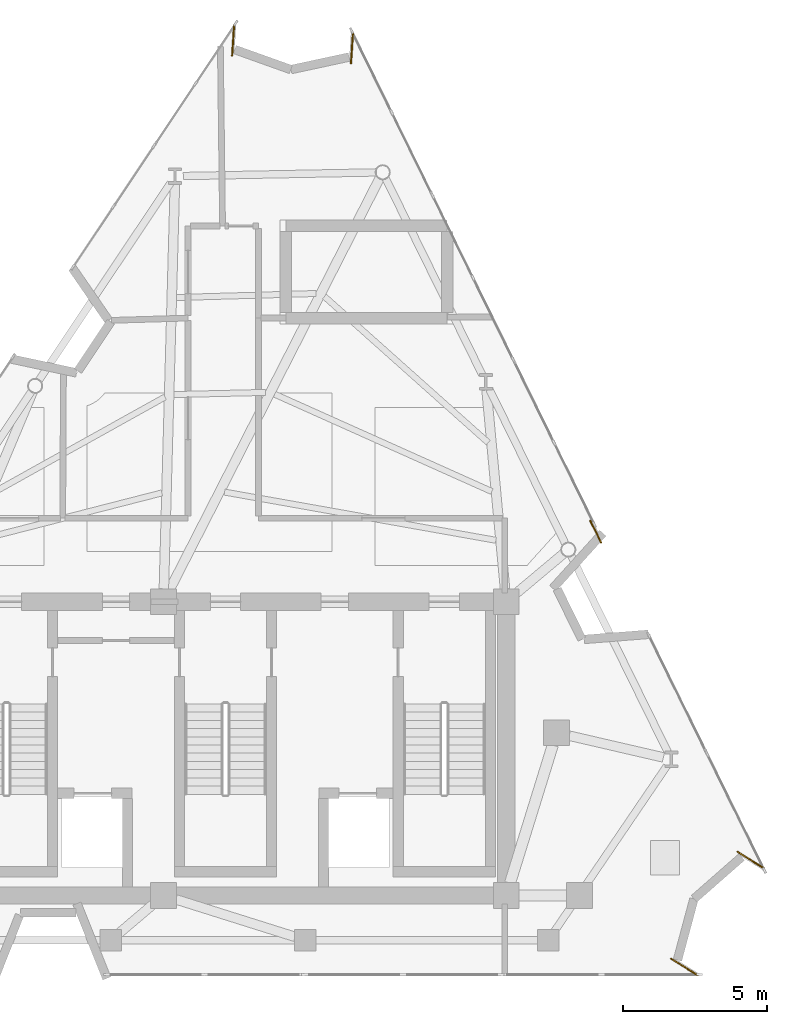
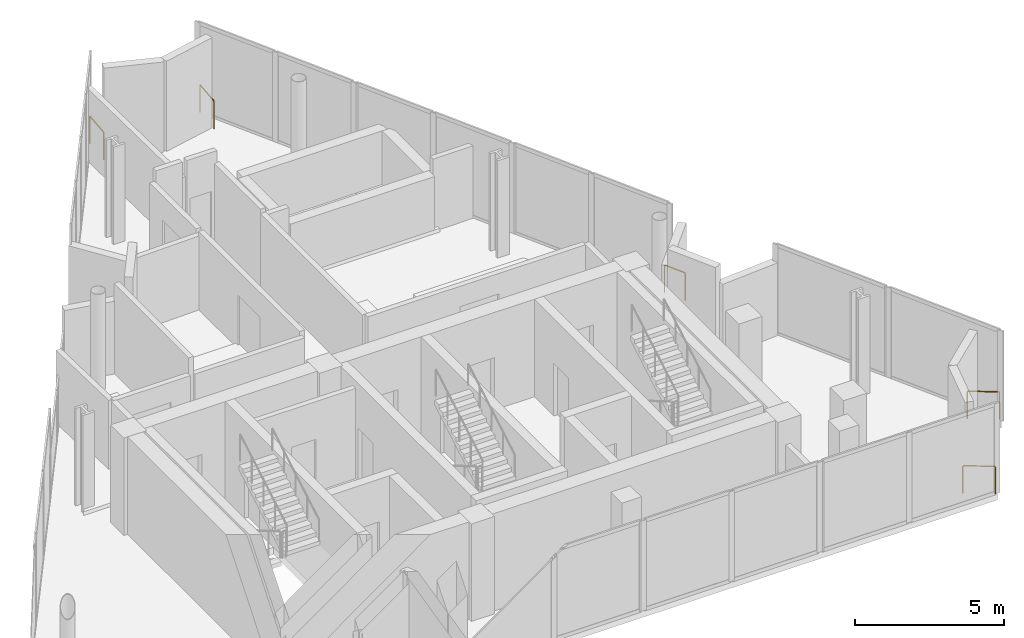
# One storey, part 9 of 9: 5 railings.
"""IFC4 building model written with IfcOpenShell, lengths in metres."""

from ifc_helpers import new_model, si_unit, direction, frame, origin, origin_2d, place, context, subcontext, project, spatial, circle, extrude, material, type_object, element, save


model = new_model("IFC4")

# Units and contexts
model_context = context("Model", 3, precision=1e-05, world=origin(), true_north=direction((0.0, 1.0)))
body_context = subcontext(model_context, "Body", "Model", "MODEL_VIEW")
ifc_project = project(units=[si_unit("LENGTHUNIT", "METRE"), si_unit("AREAUNIT", "SQUARE_METRE"), si_unit("VOLUMEUNIT", "CUBIC_METRE"), si_unit("PLANEANGLEUNIT", "RADIAN"), si_unit("MASSUNIT", "GRAM", prefix="KILO")], contexts=[model_context])

# Site, building, storey
site_placement = place(None, origin())
site = spatial("IfcSite", under=ifc_project, at=site_placement, CompositionType="ELEMENT")
building_placement = place(site_placement, origin())
building = spatial("IfcBuilding", under=site, at=building_placement, Name="Almagre Mirador Tower", CompositionType="ELEMENT")
storey_placement = place(building_placement, frame((0.0, 0.0, 310.5)))
storey = spatial("IfcBuildingStorey", under=building, at=storey_placement, Name="L80", CompositionType="ELEMENT", Elevation=310.5)

# Railings
ifc_material = material(Name="Black anodized aluminium", Category="aluminium")
railing_type = type_object("IfcRailingType", Name="RLG-BAL-1150", PredefinedType="BALUSTRADE", material=ifc_material)
railing_1_placement = place(storey_placement, frame((37.602294921875, 34.77587890625, 0.0)))
element("IfcRailing", 1, at=railing_1_placement, inside=storey, type_object=railing_type, Name="L80 perimeter edge balustrade 01", PredefinedType="BALUSTRADE", context=body_context, shape_type="SweptSolid", body=[
    extrude(circle(Radius=0.02392578125, at=origin_2d()), frame((0.0, 0.0, 1.1259765625), z_axis=(-0.065466988869, -0.997854735605, 0.0), x_axis=(0.997854735605, -0.065466988869, 0.0)), (0.0, 0.0, 1.0), 1.062744140625),
    extrude(circle(Radius=0.02099609375, at=origin_2d()), origin(), (0.0, 0.0, 1.0), 1.101806640625),
    extrude(circle(Radius=0.02099609375, at=origin_2d()), frame((-0.069580078125, -1.060546875, 0.0)), (0.0, 0.0, 1.0), 1.101806640625),
])
railing_2_placement = place(storey_placement, frame((41.658447265625, 33.444091796875, 0.0)))
element("IfcRailing", 2, at=railing_2_placement, inside=storey, type_object=railing_type, Name="L80 perimeter edge balustrade 02", PredefinedType="BALUSTRADE", context=body_context, shape_type="SweptSolid", body=[
    extrude(circle(Radius=0.02392578125, at=origin_2d()), frame((0.0, 0.0, 1.1259765625), z_axis=(0.065695707922, 0.99783970354, 0.0), x_axis=(-0.99783970354, 0.065695707922, 0.0)), (0.0, 0.0, 1.0), 1.062744140625),
    extrude(circle(Radius=0.02099609375, at=origin_2d()), origin(), (0.0, 0.0, 1.0), 1.101806640625),
    extrude(circle(Radius=0.02099609375, at=origin_2d()), frame((0.06982421875, 1.060546875, 0.0)), (0.0, 0.0, 1.0), 1.101806640625),
])
railing_3_placement = place(storey_placement, frame((49.9716796875, 17.561279296875, 0.0)))
element("IfcRailing", 3, at=railing_3_placement, inside=storey, type_object=railing_type, Name="L80 perimeter edge balustrade 03", PredefinedType="BALUSTRADE", context=body_context, shape_type="SweptSolid", body=[
    extrude(circle(Radius=0.02392578125, at=origin_2d()), frame((0.0, 0.0, 1.1259765625), z_axis=(0.441396320949, -0.897312257719, 0.0), x_axis=(0.897312257719, 0.441396320949, 0.0)), (0.0, 0.0, 1.0), 0.8408203125),
    extrude(circle(Radius=0.02099609375, at=origin_2d()), origin(), (0.0, 0.0, 1.0), 1.101806640625),
    extrude(circle(Radius=0.02099609375, at=origin_2d()), frame((0.37109375, -0.75439453125, 0.0)), (0.0, 0.0, 1.0), 1.101806640625),
])
railing_4_placement = place(storey_placement, frame((56.009765625, 5.4873046875, 0.0)))
element("IfcRailing", 4, at=railing_4_placement, inside=storey, type_object=railing_type, Name="L80 perimeter edge balustrade 04", PredefinedType="BALUSTRADE", context=body_context, shape_type="SweptSolid", body=[
    extrude(circle(Radius=0.02392578125, at=origin_2d()), frame((0.0, 0.0, 1.1259765625), z_axis=(-0.848626010961, 0.528993283058, 0.0), x_axis=(-0.528993283058, -0.848626010961, 0.0)), (0.0, 0.0, 1.0), 1.091552734375),
    extrude(circle(Radius=0.02099609375, at=origin_2d()), origin(), (0.0, 0.0, 1.0), 1.101806640625),
    extrude(circle(Radius=0.02099609375, at=origin_2d()), frame((-0.92626953125, 0.577392578125, 0.0)), (0.0, 0.0, 1.0), 1.101806640625),
])
railing_5_placement = place(storey_placement, frame((52.7744140625, 2.355712890625, 0.0)))
element("IfcRailing", 5, at=railing_5_placement, inside=storey, type_object=railing_type, Name="L80 perimeter edge balustrade 05", PredefinedType="BALUSTRADE", context=body_context, shape_type="SweptSolid", body=[
    extrude(circle(Radius=0.02392578125, at=origin_2d()), frame((0.0, 0.0, 1.1259765625), z_axis=(0.849027604088, -0.528348490578, 0.0), x_axis=(0.528348490578, 0.849027604088, 0.0)), (0.0, 0.0, 1.0), 1.091064453125),
    extrude(circle(Radius=0.02099609375, at=origin_2d()), origin(), (0.0, 0.0, 1.0), 1.101806640625),
    extrude(circle(Radius=0.02099609375, at=origin_2d()), frame((0.92626953125, -0.576416015625, 0.0)), (0.0, 0.0, 1.0), 1.101806640625),
])

save(model, "model.ifc")
